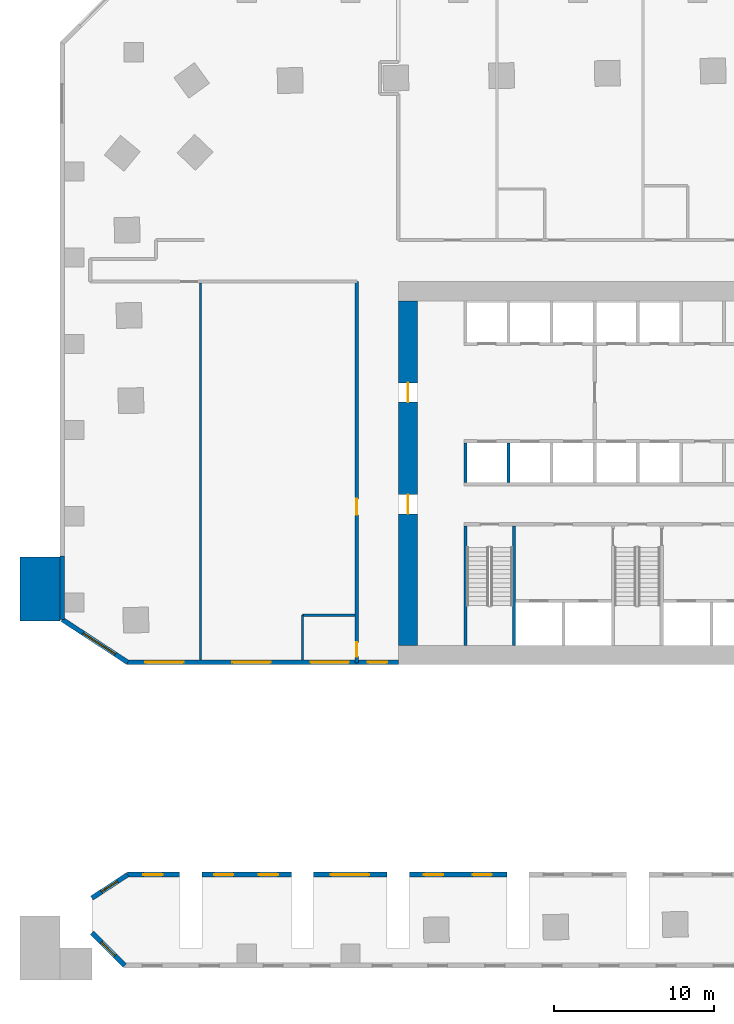
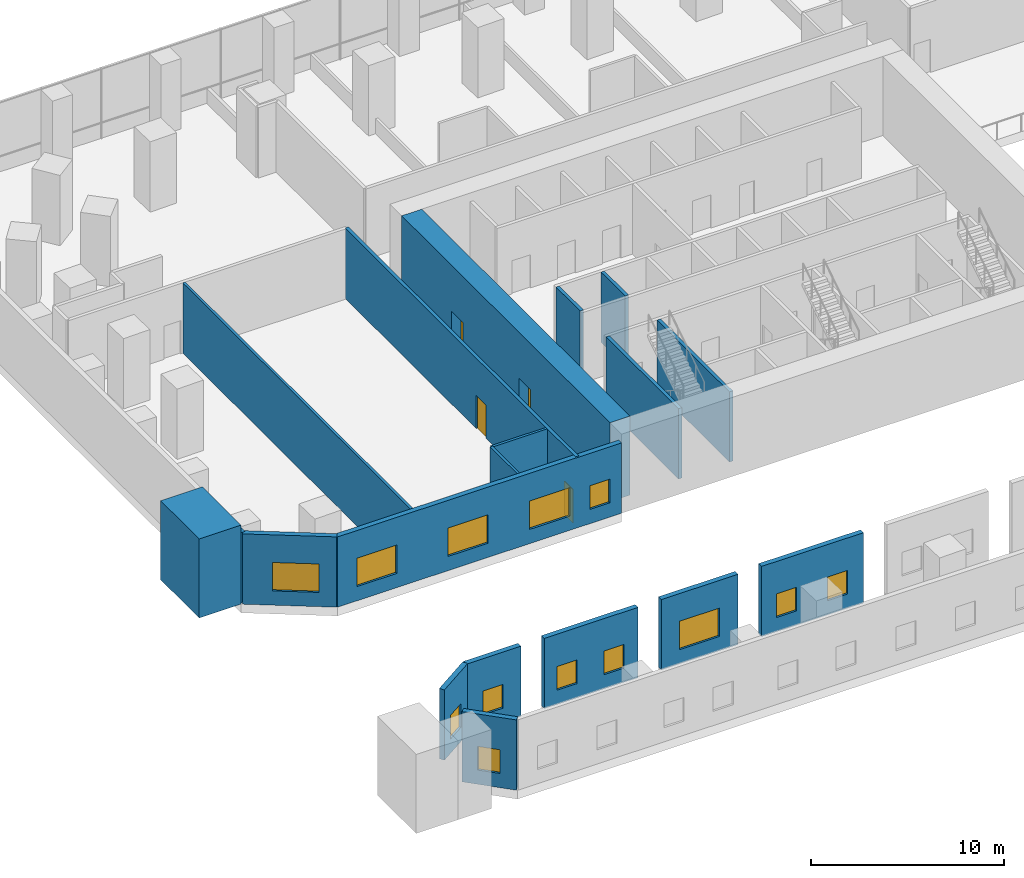
# One storey, part 5 of 11: 19 walls, 13 windows, 4 doors, 17 openings.
"""IFC4 building model written with IfcOpenShell, lengths in metres."""

from ifc_helpers import new_model, si_unit, direction, frame, frame_2d, origin, place, context, subcontext, project, spatial, rectangle, extrude, material, layer, layer_set, type_object, element, fill, save


model = new_model("IFC4")

# Units and contexts
model_context = context("Model", 3, precision=1e-05, world=origin(), true_north=direction((0.0, 1.0)))
body_context = subcontext(model_context, "Body", "Model", "MODEL_VIEW")
ifc_project = project(units=[si_unit("LENGTHUNIT", "METRE"), si_unit("AREAUNIT", "SQUARE_METRE"), si_unit("VOLUMEUNIT", "CUBIC_METRE"), si_unit("PLANEANGLEUNIT", "RADIAN"), si_unit("MASSUNIT", "GRAM", prefix="KILO")], contexts=[model_context])

# Site, building, storey
site_placement = place(None, origin())
site = spatial("IfcSite", under=ifc_project, at=site_placement, CompositionType="ELEMENT")
building_placement = place(site_placement, origin())
building = spatial("IfcBuilding", under=site, at=building_placement, Name="Mangrove Gate Tower", CompositionType="ELEMENT")
storey_placement = place(building_placement, frame((0.0, 0.0, 6.0)))
storey = spatial("IfcBuildingStorey", under=building, at=storey_placement, Name="L01", CompositionType="ELEMENT", Elevation=6.0)

# Walls
ifc_material_1 = material(Name="Concrete C70/85", Category="concrete")
ifc_layer_1 = layer(ifc_material_1, 0.199951171875)
ifc_layer_set_1 = layer_set([ifc_layer_1], Name="Core shaft wall 200 C70/85")
wall_type_1 = type_object("IfcWallType", Name="Core shaft wall 200 C70/85", PredefinedType="SHEAR", material=ifc_layer_set_1)
for number, where, z_axis, x_axis, name in (
    (1, (-10.800048828125, -0.60009765625, 0.0), (0.0, 0.0, 1.0), (0.0, 1.0, 0.0), "WALL-L01-CORE-19"),
    (2, (-8.10009765625, -0.60009765625, 0.0), (0.0, 0.0, 1.0), (0.0, 1.0, 0.0), "WALL-L01-CORE-20"),
):
    element("IfcWall", number, at=place(storey_placement, frame(where, z_axis=z_axis, x_axis=x_axis)), inside=storey, type_object=wall_type_1, Name=name, PredefinedType="SHEAR", context=body_context, shape_type="SweptSolid", body=[
        extrude(rectangle(XDim=2.5, YDim=0.199951171875, at=frame_2d((1.25, 0.0))), origin(), (0.0, 0.0, 1.0), 4.449951171875),
    ])
ifc_material_2 = material(Name="Concrete C70/85", Category="concrete")
ifc_layer_2 = layer(ifc_material_2, 0.199951171875)
ifc_layer_set_2 = layer_set([ifc_layer_2], Name="Core stair wall 200 C70/85")
wall_type_2 = type_object("IfcWallType", Name="Core stair wall 200 C70/85", PredefinedType="SHEAR", material=ifc_layer_set_2)
for number, where, z_axis, x_axis, name in (
    (3, (-10.800048828125, -10.800048828125, 0.0), (0.0, 0.0, 1.0), (0.0, 1.0, 0.0), "WALL-L01-CORE-9"),
    (4, (-7.75, -10.800048828125, 0.0), (0.0, 0.0, 1.0), (0.0, 1.0, 0.0), "WALL-L01-CORE-10"),
):
    element("IfcWall", number, at=place(storey_placement, frame(where, z_axis=z_axis, x_axis=x_axis)), inside=storey, type_object=wall_type_2, Name=name, PredefinedType="SHEAR", context=body_context, shape_type="SweptSolid", body=[
        extrude(rectangle(XDim=7.5, YDim=0.199951171875, at=frame_2d((3.75, 0.0))), origin(), (0.0, 0.0, 1.0), 4.449951171875),
    ])

# Wall, openings, doors
ifc_material_3 = material(Name="Concrete C70/85", Category="concrete")
ifc_layer_3 = layer(ifc_material_3, 1.199951171875)
ifc_layer_set_3 = layer_set([ifc_layer_3], Name="Core wall 1200 C70/85")
wall_type_3 = type_object("IfcWallType", Name="Core wall 1200 C70/85", PredefinedType="SHEAR", material=ifc_layer_set_3)
wall_1_placement = place(storey_placement, frame((-14.39990234375, -10.800048828125, 0.0), z_axis=(0.0, 0.0, 1.0), x_axis=(0.0, 1.0, 0.0)))
wall_1 = element("IfcWall", 5, at=wall_1_placement, inside=storey, type_object=wall_type_3, Name="WALL-L01-CORE-3", PredefinedType="SHEAR", context=body_context, shape_type="SweptSolid", body=[
    extrude(rectangle(XDim=21.60009765625, YDim=1.199951171875, at=frame_2d((10.800048828125, 0.0))), origin(), (0.0, 0.0, 1.0), 5.0),
])
opening_1_placement = place(wall_1_placement, frame((8.25, 0.0, 0.0)))
opening_1 = element("IfcOpeningElement", 6, at=opening_1_placement, cuts=wall_1, Name="Opening CD", PredefinedType="OPENING", context=body_context, shape_type="SweptSolid", body=[
    extrude(rectangle(XDim=1.199951171875, YDim=2.10009765625, at=frame_2d((0.60009765625, 1.050048828125))), frame((0.0, 0.60986328125, 0.0), z_axis=(0.0, -1.0, 0.0), x_axis=(1.0, 0.0, 0.0)), (0.0, 0.0, 1.0), 1.219970703125),
])
opening_2_placement = place(wall_1_placement, frame((15.25, 0.0, 0.0)))
opening_2 = element("IfcOpeningElement", 7, at=opening_2_placement, cuts=wall_1, Name="Opening CD", PredefinedType="OPENING", context=body_context, shape_type="SweptSolid", body=[
    extrude(rectangle(XDim=1.199951171875, YDim=2.10009765625, at=frame_2d((0.60009765625, 1.050048828125))), frame((0.0, 0.60986328125, 0.0), z_axis=(0.0, -1.0, 0.0), x_axis=(1.0, 0.0, 0.0)), (0.0, 0.0, 1.0), 1.219970703125),
])
ifc_material_4 = material(Name="Fire-rated steel door set", Category="steel")
door_type_1 = type_object("IfcDoorType", Name="Core ring door FD60 1200x2100", OperationType="DOUBLE_DOOR_SINGLE_SWING", PredefinedType="DOOR", material=ifc_material_4)
door_1_placement = place(opening_1_placement, origin())
door_1 = element("IfcDoor", 8, at=door_1_placement, inside=storey, type_object=door_type_1, Name="Core ring door W1", OperationType="DOUBLE_DOOR_SINGLE_SWING", OverallHeight=2.10009765625, OverallWidth=1.199951171875, PredefinedType="DOOR", context=body_context, shape_type="SweptSolid", body=[
    extrude(rectangle(XDim=1.199951171875, YDim=2.10009765625, at=frame_2d((0.60009765625, 1.050048828125))), frame((0.0, 0.02490234375, 0.0), z_axis=(0.0, -1.0, 0.0), x_axis=(1.0, 0.0, 0.0)), (0.0, 0.0, 1.0), 0.050048828125),
])
fill(opening_1, door_1)
door_2_placement = place(opening_2_placement, origin())
door_2 = element("IfcDoor", 9, at=door_2_placement, inside=storey, type_object=door_type_1, Name="Core ring door W2", OperationType="DOUBLE_DOOR_SINGLE_SWING", OverallHeight=2.10009765625, OverallWidth=1.199951171875, PredefinedType="DOOR", context=body_context, shape_type="SweptSolid", body=[
    extrude(rectangle(XDim=1.199951171875, YDim=2.10009765625, at=frame_2d((0.60009765625, 1.050048828125))), frame((0.0, 0.02490234375, 0.0), z_axis=(0.0, -1.0, 0.0), x_axis=(1.0, 0.0, 0.0)), (0.0, 0.0, 1.0), 0.050048828125),
])
fill(opening_2, door_2)

ifc_material_5 = material(Name="Gypsum board on steel stud, EI 60", Category="steel")
ifc_layer_4 = layer(ifc_material_5, 0.199951171875)
ifc_layer_set_4 = layer_set([ifc_layer_4], Name="Corridor wall EI 60")
wall_type_4 = type_object("IfcWallType", Name="Corridor wall EI 60", PredefinedType="PARTITIONING", material=ifc_layer_set_4)
wall_2_placement = place(storey_placement, frame((-17.60009765625, -11.89990234375, 0.0), z_axis=(0.0, 0.0, 1.0), x_axis=(0.0, 1.0, 0.0)))
wall_2 = element("IfcWall", 10, at=wall_2_placement, inside=storey, type_object=wall_type_4, Name="WALL-L01-003", PredefinedType="PARTITIONING", context=body_context, shape_type="SweptSolid", body=[
    extrude(rectangle(XDim=23.89990234375, YDim=0.199951171875, at=frame_2d((11.949951171875, 0.0))), origin(), (0.0, 0.0, 1.0), 4.449951171875),
])
opening_3_placement = place(wall_2_placement, frame((9.2939453125, 0.0, 0.0)))
opening_3 = element("IfcOpeningElement", 11, at=opening_3_placement, cuts=wall_2, Name="Opening AD", PredefinedType="OPENING", context=body_context, shape_type="SweptSolid", body=[
    extrude(rectangle(XDim=1.0, YDim=2.10009765625, at=frame_2d((0.5, 1.050048828125))), frame((0.0, 0.10986328125, 0.0), z_axis=(0.0, -1.0, 0.0), x_axis=(1.0, 0.0, 0.0)), (0.0, 0.0, 1.0), 0.219970703125),
])
opening_4_placement = place(wall_2_placement, frame((0.39990234375, 0.0, 0.0)))
opening_4 = element("IfcOpeningElement", 12, at=opening_4_placement, cuts=wall_2, Name="Opening SD", PredefinedType="OPENING", context=body_context, shape_type="SweptSolid", body=[
    extrude(rectangle(XDim=0.89990234375, YDim=2.10009765625, at=frame_2d((0.449951171875, 1.050048828125))), frame((0.0, 0.10986328125, 0.0), z_axis=(0.0, -1.0, 0.0), x_axis=(1.0, 0.0, 0.0)), (0.0, 0.0, 1.0), 0.219970703125),
])
ifc_material_6 = material(Name="Timber door leaf", Category="wood")
door_type_2 = type_object("IfcDoorType", Name="Amenity door 1000", OperationType="SINGLE_SWING_LEFT", PredefinedType="DOOR", material=ifc_material_6)
door_3_placement = place(opening_3_placement, origin())
door_3 = element("IfcDoor", 13, at=door_3_placement, inside=storey, type_object=door_type_2, Name="DOOR-L01-POD-01", OperationType="SINGLE_SWING_LEFT", OverallHeight=2.10009765625, OverallWidth=1.0, PredefinedType="DOOR", context=body_context, shape_type="SweptSolid", body=[
    extrude(rectangle(XDim=1.0, YDim=2.10009765625, at=frame_2d((0.5, 1.050048828125))), frame((0.0, 0.02490234375, 0.0), z_axis=(0.0, -1.0, 0.0), x_axis=(1.0, 0.0, 0.0)), (0.0, 0.0, 1.0), 0.050048828125),
])
fill(opening_3, door_3)
ifc_material_7 = material(Name="Timber door leaf", Category="wood")
door_type_3 = type_object("IfcDoorType", Name="Service room door 900", OperationType="SINGLE_SWING_LEFT", PredefinedType="DOOR", material=ifc_material_7)
door_4_placement = place(opening_4_placement, origin())
door_4 = element("IfcDoor", 14, at=door_4_placement, inside=storey, type_object=door_type_3, Name="DOOR-L01-PSV-01", OperationType="SINGLE_SWING_LEFT", OverallHeight=2.10009765625, OverallWidth=0.89990234375, PredefinedType="DOOR", context=body_context, shape_type="SweptSolid", body=[
    extrude(rectangle(XDim=0.89990234375, YDim=2.10009765625, at=frame_2d((0.449951171875, 1.050048828125))), frame((0.0, 0.02490234375, 0.0), z_axis=(0.0, -1.0, 0.0), x_axis=(1.0, 0.0, 0.0)), (0.0, 0.0, 1.0), 0.050048828125),
])
fill(opening_4, door_4)

# Wall, openings, windows
ifc_material_8 = material(Name="Limestone", Category="masonry")
ifc_layer_5 = layer(ifc_material_8, 0.0400390625, Name="Limestone cladding")
ifc_material_9 = material(Name="Ventilated air gap")
ifc_layer_6 = layer(ifc_material_9, 0.0400390625, Name="Ventilated cavity")
ifc_material_10 = material(Name="Mineral wool insulation")
ifc_layer_7 = layer(ifc_material_10, 0.06005859375, Name="Insulation")
ifc_material_11 = material(Name="Breather membrane")
ifc_layer_8 = layer(ifc_material_11, 0.001953125, Name="Breather membrane")
ifc_material_12 = material(Name="Concrete C20/25 blockwork", Category="masonry")
ifc_layer_9 = layer(ifc_material_12, 0.14990234375, Name="Blockwork backing wall")
ifc_material_13 = material(Name="Gypsum plaster")
ifc_layer_10 = layer(ifc_material_13, 0.008056640625, Name="Internal plaster")
ifc_layer_set_5 = layer_set([ifc_layer_5, ifc_layer_6, ifc_layer_7, ifc_layer_8, ifc_layer_9, ifc_layer_10], Name="External wall 300 limestone cladding")
wall_type_5 = type_object("IfcWallType", Name="External wall 300 limestone cladding", PredefinedType="SOLIDWALL", material=ifc_layer_set_5)
wall_3_placement = place(storey_placement, frame((-8.199951171875, -25.14990234375, 0.0), z_axis=(0.0, 0.0, 1.0), x_axis=(-1.0, 0.0, 0.0)))
wall_3 = element("IfcWall", 15, at=wall_3_placement, inside=storey, type_object=wall_type_5, Name="WALL-L01-N4016", PredefinedType="SOLIDWALL", context=body_context, shape_type="SweptSolid", body=[
    extrude(rectangle(XDim=6.10009765625, YDim=0.300048828125, at=frame_2d((3.050048828125, 0.0))), origin(), (0.0, 0.0, 1.0), 4.449951171875),
])
opening_5_placement = place(wall_3_placement, frame((0.93896484375, 0.0, 0.89990234375)))
opening_5 = element("IfcOpeningElement", 16, at=opening_5_placement, cuts=wall_3, Name="Opening W1", PredefinedType="OPENING", context=body_context, shape_type="SweptSolid", body=[
    extrude(rectangle(XDim=1.199951171875, YDim=1.5, at=frame_2d((0.60009765625, 0.75))), frame((0.0, 0.159912109375, 0.0), z_axis=(0.0, -1.0, 0.0), x_axis=(1.0, 0.0, 0.0)), (0.0, 0.0, 1.0), 0.320068359375),
])
opening_6_placement = place(wall_3_placement, frame((3.992919921875, 0.0, 0.89990234375)))
opening_6 = element("IfcOpeningElement", 17, at=opening_6_placement, cuts=wall_3, Name="Opening W1", PredefinedType="OPENING", context=body_context, shape_type="SweptSolid", body=[
    extrude(rectangle(XDim=1.199951171875, YDim=1.5, at=frame_2d((0.60009765625, 0.75))), frame((0.0, 0.159912109375, 0.0), z_axis=(0.0, -1.0, 0.0), x_axis=(1.0, 0.0, 0.0)), (0.0, 0.0, 1.0), 0.320068359375),
])
ifc_material_14 = material(Name="Aluminium frame with double-glazed low-e glass", Category="aluminium")
window_type_1 = type_object("IfcWindowType", Name="Side lite 1200x1500", PartitioningType="SINGLE_PANEL", PredefinedType="WINDOW", material=ifc_material_14)
window_1_placement = place(opening_5_placement, origin())
window_1 = element("IfcWindow", 18, at=window_1_placement, inside=storey, type_object=window_type_1, Name="WIN-L01-N4016-1", OverallHeight=1.5, OverallWidth=1.199951171875, PartitioningType="SINGLE_PANEL", PredefinedType="WINDOW", context=body_context, shape_type="SweptSolid", body=[
    extrude(rectangle(XDim=1.199951171875, YDim=1.5, at=frame_2d((0.60009765625, 0.75))), frame((0.0, 0.030029296875, 0.0), z_axis=(0.0, -1.0, 0.0), x_axis=(1.0, 0.0, 0.0)), (0.0, 0.0, 1.0), 0.06005859375),
])
fill(opening_5, window_1)
window_2_placement = place(opening_6_placement, origin())
window_2 = element("IfcWindow", 19, at=window_2_placement, inside=storey, type_object=window_type_1, Name="WIN-L01-N4016-2", OverallHeight=1.5, OverallWidth=1.199951171875, PartitioningType="SINGLE_PANEL", PredefinedType="WINDOW", context=body_context, shape_type="SweptSolid", body=[
    extrude(rectangle(XDim=1.199951171875, YDim=1.5, at=frame_2d((0.60009765625, 0.75))), frame((0.0, 0.030029296875, 0.0), z_axis=(0.0, -1.0, 0.0), x_axis=(1.0, 0.0, 0.0)), (0.0, 0.0, 1.0), 0.06005859375),
])
fill(opening_6, window_2)

# Wall, opening, window
wall_4_placement = place(storey_placement, frame((-15.699951171875, -25.14990234375, 0.0), z_axis=(0.0, 0.0, 1.0), x_axis=(-1.0, 0.0, 0.0)))
wall_4 = element("IfcWall", 20, at=wall_4_placement, inside=storey, type_object=wall_type_5, Name="WALL-L01-N4017", PredefinedType="SOLIDWALL", context=body_context, shape_type="SweptSolid", body=[
    extrude(rectangle(XDim=4.60009765625, YDim=0.300048828125, at=frame_2d((2.300048828125, 0.0))), origin(), (0.0, 0.0, 1.0), 4.449951171875),
])
opening_7_placement = place(wall_4_placement, frame((1.125, 0.0, 0.89990234375)))
opening_7 = element("IfcOpeningElement", 21, at=opening_7_placement, cuts=wall_4, Name="Opening W3", PredefinedType="OPENING", context=body_context, shape_type="SweptSolid", body=[
    extrude(rectangle(XDim=2.39990234375, YDim=1.800048828125, at=frame_2d((1.199951171875, 0.89990234375))), frame((0.0, 0.159912109375, 0.0), z_axis=(0.0, -1.0, 0.0), x_axis=(1.0, 0.0, 0.0)), (0.0, 0.0, 1.0), 0.320068359375),
])
ifc_material_15 = material(Name="Aluminium frame with double-glazed low-e glass", Category="aluminium")
window_type_2 = type_object("IfcWindowType", Name="Podium window 2400x1800", PartitioningType="DOUBLE_PANEL_VERTICAL", PredefinedType="WINDOW", material=ifc_material_15)
window_3_placement = place(opening_7_placement, origin())
window_3 = element("IfcWindow", 22, at=window_3_placement, inside=storey, type_object=window_type_2, Name="WIN-L01-N4017-1", OverallHeight=1.800048828125, OverallWidth=2.39990234375, PartitioningType="DOUBLE_PANEL_VERTICAL", PredefinedType="WINDOW", context=body_context, shape_type="SweptSolid", body=[
    extrude(rectangle(XDim=2.39990234375, YDim=1.800048828125, at=frame_2d((1.199951171875, 0.89990234375))), frame((0.0, 0.030029296875, 0.0), z_axis=(0.0, -1.0, 0.0), x_axis=(1.0, 0.0, 0.0)), (0.0, 0.0, 1.0), 0.06005859375),
])
fill(opening_7, window_3)

# Wall, openings, windows
wall_5_placement = place(storey_placement, frame((-21.699951171875, -25.14990234375, 0.0), z_axis=(0.0, 0.0, 1.0), x_axis=(-1.0, 0.0, 0.0)))
wall_5 = element("IfcWall", 23, at=wall_5_placement, inside=storey, type_object=wall_type_5, Name="WALL-L01-N4018", PredefinedType="SOLIDWALL", context=body_context, shape_type="SweptSolid", body=[
    extrude(rectangle(XDim=5.60009765625, YDim=0.300048828125, at=frame_2d((2.800048828125, 0.0))), origin(), (0.0, 0.0, 1.0), 4.449951171875),
])
opening_8_placement = place(wall_5_placement, frame((0.83203125, 0.0, 0.89990234375)))
opening_8 = element("IfcOpeningElement", 24, at=opening_8_placement, cuts=wall_5, Name="Opening W1", PredefinedType="OPENING", context=body_context, shape_type="SweptSolid", body=[
    extrude(rectangle(XDim=1.199951171875, YDim=1.5, at=frame_2d((0.60009765625, 0.75))), frame((0.0, 0.159912109375, 0.0), z_axis=(0.0, -1.0, 0.0), x_axis=(1.0, 0.0, 0.0)), (0.0, 0.0, 1.0), 0.320068359375),
])
opening_9_placement = place(wall_5_placement, frame((3.635986328125, 0.0, 0.89990234375)))
opening_9 = element("IfcOpeningElement", 25, at=opening_9_placement, cuts=wall_5, Name="Opening W1", PredefinedType="OPENING", context=body_context, shape_type="SweptSolid", body=[
    extrude(rectangle(XDim=1.199951171875, YDim=1.5, at=frame_2d((0.60009765625, 0.75))), frame((0.0, 0.159912109375, 0.0), z_axis=(0.0, -1.0, 0.0), x_axis=(1.0, 0.0, 0.0)), (0.0, 0.0, 1.0), 0.320068359375),
])
window_4_placement = place(opening_8_placement, origin())
window_4 = element("IfcWindow", 26, at=window_4_placement, inside=storey, type_object=window_type_1, Name="WIN-L01-N4018-1", OverallHeight=1.5, OverallWidth=1.199951171875, PartitioningType="SINGLE_PANEL", PredefinedType="WINDOW", context=body_context, shape_type="SweptSolid", body=[
    extrude(rectangle(XDim=1.199951171875, YDim=1.5, at=frame_2d((0.60009765625, 0.75))), frame((0.0, 0.030029296875, 0.0), z_axis=(0.0, -1.0, 0.0), x_axis=(1.0, 0.0, 0.0)), (0.0, 0.0, 1.0), 0.06005859375),
])
fill(opening_8, window_4)
window_5_placement = place(opening_9_placement, origin())
window_5 = element("IfcWindow", 27, at=window_5_placement, inside=storey, type_object=window_type_1, Name="WIN-L01-N4018-2", OverallHeight=1.5, OverallWidth=1.199951171875, PartitioningType="SINGLE_PANEL", PredefinedType="WINDOW", context=body_context, shape_type="SweptSolid", body=[
    extrude(rectangle(XDim=1.199951171875, YDim=1.5, at=frame_2d((0.60009765625, 0.75))), frame((0.0, 0.030029296875, 0.0), z_axis=(0.0, -1.0, 0.0), x_axis=(1.0, 0.0, 0.0)), (0.0, 0.0, 1.0), 0.06005859375),
])
fill(opening_9, window_5)

# Wall, opening, window
wall_6_placement = place(storey_placement, frame((-28.699951171875, -25.14990234375, 0.0), z_axis=(0.0, 0.0, 1.0), x_axis=(-1.0, 0.0, 0.0)))
wall_6 = element("IfcWall", 28, at=wall_6_placement, inside=storey, type_object=wall_type_5, Name="WALL-L01-N4019", PredefinedType="SOLIDWALL", context=body_context, shape_type="SweptSolid", body=[
    extrude(rectangle(XDim=3.255126953125, YDim=0.300048828125, at=frame_2d((1.62744140625, 0.0))), origin(), (0.0, 0.0, 1.0), 4.449951171875),
])
opening_10_placement = place(wall_6_placement, frame((1.070068359375, 0.0, 0.89990234375)))
opening_10 = element("IfcOpeningElement", 29, at=opening_10_placement, cuts=wall_6, Name="Opening W1", PredefinedType="OPENING", context=body_context, shape_type="SweptSolid", body=[
    extrude(rectangle(XDim=1.199951171875, YDim=1.5, at=frame_2d((0.60009765625, 0.75))), frame((0.0, 0.159912109375, 0.0), z_axis=(0.0, -1.0, 0.0), x_axis=(1.0, 0.0, 0.0)), (0.0, 0.0, 1.0), 0.320068359375),
])
window_6_placement = place(opening_10_placement, origin())
window_6 = element("IfcWindow", 30, at=window_6_placement, inside=storey, type_object=window_type_1, Name="WIN-L01-N4019-1", OverallHeight=1.5, OverallWidth=1.199951171875, PartitioningType="SINGLE_PANEL", PredefinedType="WINDOW", context=body_context, shape_type="SweptSolid", body=[
    extrude(rectangle(XDim=1.199951171875, YDim=1.5, at=frame_2d((0.60009765625, 0.75))), frame((0.0, 0.030029296875, 0.0), z_axis=(0.0, -1.0, 0.0), x_axis=(1.0, 0.0, 0.0)), (0.0, 0.0, 1.0), 0.06005859375),
])
fill(opening_10, window_6)

wall_7_placement = place(storey_placement, frame((-31.955078125, -25.14990234375, 0.0), z_axis=(0.0, 0.0, 1.0), x_axis=(-0.83655747026, -0.547879182806, 0.0)))
wall_7 = element("IfcWall", 31, at=wall_7_placement, inside=storey, type_object=wall_type_5, Name="WALL-L01-N2", PredefinedType="SOLIDWALL", context=body_context, shape_type="SweptSolid", body=[
    extrude(rectangle(XDim=2.683349609375, YDim=0.300048828125, at=frame_2d((1.341796875, 0.0))), origin(), (0.0, 0.0, 1.0), 4.449951171875),
])
opening_11_placement = place(wall_7_placement, frame((0.76904296875, 0.0, 0.89990234375)))
opening_11 = element("IfcOpeningElement", 32, at=opening_11_placement, cuts=wall_7, Name="Opening W1", PredefinedType="OPENING", context=body_context, shape_type="SweptSolid", body=[
    extrude(rectangle(XDim=1.199951171875, YDim=1.5, at=frame_2d((0.60009765625, 0.75))), frame((0.0, 0.159912109375, 0.0), z_axis=(0.0, -1.0, 0.0), x_axis=(1.0, 0.0, 0.0)), (0.0, 0.0, 1.0), 0.320068359375),
])
window_7_placement = place(opening_11_placement, origin())
window_7 = element("IfcWindow", 33, at=window_7_placement, inside=storey, type_object=window_type_1, Name="WIN-L01-N2-1", OverallHeight=1.5, OverallWidth=1.199951171875, PartitioningType="SINGLE_PANEL", PredefinedType="WINDOW", context=body_context, shape_type="SweptSolid", body=[
    extrude(rectangle(XDim=1.199951171875, YDim=1.5, at=frame_2d((0.60009765625, 0.75))), frame((0.0, 0.030029296875, 0.0), z_axis=(0.0, -1.0, 0.0), x_axis=(1.0, 0.0, 0.0)), (0.0, 0.0, 1.0), 0.06005859375),
])
fill(opening_11, window_7)

wall_8_placement = place(storey_placement, frame((-34.199951171875, -28.7880859375, 0.0), z_axis=(0.0, 0.0, 1.0), x_axis=(0.707106781187, -0.707106781187, 0.0)))
wall_8 = element("IfcWall", 34, at=wall_8_placement, inside=storey, type_object=wall_type_5, Name="WALL-L01-W3", PredefinedType="SOLIDWALL", context=body_context, shape_type="SweptSolid", body=[
    extrude(rectangle(XDim=2.916015625, YDim=0.300048828125, at=frame_2d((1.4580078125, 0.0))), origin(), (0.0, 0.0, 1.0), 4.449951171875),
])
opening_12_placement = place(wall_8_placement, frame((0.844970703125, 0.0, 0.89990234375)))
opening_12 = element("IfcOpeningElement", 35, at=opening_12_placement, cuts=wall_8, Name="Opening W1", PredefinedType="OPENING", context=body_context, shape_type="SweptSolid", body=[
    extrude(rectangle(XDim=1.199951171875, YDim=1.5, at=frame_2d((0.60009765625, 0.75))), frame((0.0, 0.159912109375, 0.0), z_axis=(0.0, -1.0, 0.0), x_axis=(1.0, 0.0, 0.0)), (0.0, 0.0, 1.0), 0.320068359375),
])
window_8_placement = place(opening_12_placement, origin())
window_8 = element("IfcWindow", 36, at=window_8_placement, inside=storey, type_object=window_type_1, Name="WIN-L01-W3-1", OverallHeight=1.5, OverallWidth=1.199951171875, PartitioningType="SINGLE_PANEL", PredefinedType="WINDOW", context=body_context, shape_type="SweptSolid", body=[
    extrude(rectangle(XDim=1.199951171875, YDim=1.5, at=frame_2d((0.60009765625, 0.75))), frame((0.0, 0.030029296875, 0.0), z_axis=(0.0, -1.0, 0.0), x_axis=(1.0, 0.0, 0.0)), (0.0, 0.0, 1.0), 0.06005859375),
])
fill(opening_12, window_8)

wall_9_placement = place(storey_placement, frame((-36.050048828125, -9.1689453125, 0.0), z_axis=(0.0, 0.0, 1.0), x_axis=(0.836625876117, -0.54777471958, 0.0)))
wall_9 = element("IfcWall", 37, at=wall_9_placement, inside=storey, type_object=wall_type_5, Name="WALL-L01-S6", PredefinedType="SOLIDWALL", context=body_context, shape_type="SweptSolid", body=[
    extrude(rectangle(XDim=4.89453125, YDim=0.300048828125, at=frame_2d((2.447265625, 0.0))), origin(), (0.0, 0.0, 1.0), 4.449951171875),
])
opening_13_placement = place(wall_9_placement, frame((1.56103515625, 0.0, 0.89990234375)))
opening_13 = element("IfcOpeningElement", 38, at=opening_13_placement, cuts=wall_9, Name="Opening W3", PredefinedType="OPENING", context=body_context, shape_type="SweptSolid", body=[
    extrude(rectangle(XDim=2.39990234375, YDim=1.800048828125, at=frame_2d((1.199951171875, 0.89990234375))), frame((0.0, 0.159912109375, 0.0), z_axis=(0.0, -1.0, 0.0), x_axis=(1.0, 0.0, 0.0)), (0.0, 0.0, 1.0), 0.320068359375),
])
window_9_placement = place(opening_13_placement, origin())
window_9 = element("IfcWindow", 39, at=window_9_placement, inside=storey, type_object=window_type_2, Name="WIN-L01-S6-1", OverallHeight=1.800048828125, OverallWidth=2.39990234375, PartitioningType="DOUBLE_PANEL_VERTICAL", PredefinedType="WINDOW", context=body_context, shape_type="SweptSolid", body=[
    extrude(rectangle(XDim=2.39990234375, YDim=1.800048828125, at=frame_2d((1.199951171875, 0.89990234375))), frame((0.0, 0.030029296875, 0.0), z_axis=(0.0, -1.0, 0.0), x_axis=(1.0, 0.0, 0.0)), (0.0, 0.0, 1.0), 0.06005859375),
])
fill(opening_13, window_9)

# Wall, openings, windows
wall_10_placement = place(storey_placement, frame((-32.0, -11.85009765625, 0.0), z_axis=(0.0, 0.0, 1.0), x_axis=(1.0, 0.0, 0.0)))
wall_10 = element("IfcWall", 40, at=wall_10_placement, inside=storey, type_object=wall_type_5, Name="WALL-L01-S7", PredefinedType="SOLIDWALL", context=body_context, shape_type="SweptSolid", body=[
    extrude(rectangle(XDim=17.0, YDim=0.300048828125, at=frame_2d((8.5, 0.0))), origin(), (0.0, 0.0, 1.0), 4.449951171875),
])
opening_14_placement = place(wall_10_placement, frame((1.14892578125, 0.0, 0.89990234375)))
opening_14 = element("IfcOpeningElement", 41, at=opening_14_placement, cuts=wall_10, Name="Opening W3", PredefinedType="OPENING", context=body_context, shape_type="SweptSolid", body=[
    extrude(rectangle(XDim=2.39990234375, YDim=1.800048828125, at=frame_2d((1.199951171875, 0.89990234375))), frame((0.0, 0.159912109375, 0.0), z_axis=(0.0, -1.0, 0.0), x_axis=(1.0, 0.0, 0.0)), (0.0, 0.0, 1.0), 0.320068359375),
])
opening_15_placement = place(wall_10_placement, frame((6.60498046875, 0.0, 0.89990234375)))
opening_15 = element("IfcOpeningElement", 42, at=opening_15_placement, cuts=wall_10, Name="Opening W3", PredefinedType="OPENING", context=body_context, shape_type="SweptSolid", body=[
    extrude(rectangle(XDim=2.39990234375, YDim=1.800048828125, at=frame_2d((1.199951171875, 0.89990234375))), frame((0.0, 0.159912109375, 0.0), z_axis=(0.0, -1.0, 0.0), x_axis=(1.0, 0.0, 0.0)), (0.0, 0.0, 1.0), 0.320068359375),
])
opening_16_placement = place(wall_10_placement, frame((11.5, 0.0, 0.89990234375)))
opening_16 = element("IfcOpeningElement", 43, at=opening_16_placement, cuts=wall_10, Name="Opening W3", PredefinedType="OPENING", context=body_context, shape_type="SweptSolid", body=[
    extrude(rectangle(XDim=2.39990234375, YDim=1.800048828125, at=frame_2d((1.199951171875, 0.89990234375))), frame((0.0, 0.159912109375, 0.0), z_axis=(0.0, -1.0, 0.0), x_axis=(1.0, 0.0, 0.0)), (0.0, 0.0, 1.0), 0.320068359375),
])
opening_17_placement = place(wall_10_placement, frame((15.10009765625, 0.0, 0.89990234375)))
opening_17 = element("IfcOpeningElement", 44, at=opening_17_placement, cuts=wall_10, Name="Opening W1", PredefinedType="OPENING", context=body_context, shape_type="SweptSolid", body=[
    extrude(rectangle(XDim=1.199951171875, YDim=1.5, at=frame_2d((0.60009765625, 0.75))), frame((0.0, 0.159912109375, 0.0), z_axis=(0.0, -1.0, 0.0), x_axis=(1.0, 0.0, 0.0)), (0.0, 0.0, 1.0), 0.320068359375),
])
window_10_placement = place(opening_14_placement, origin())
window_10 = element("IfcWindow", 45, at=window_10_placement, inside=storey, type_object=window_type_2, Name="WIN-L01-S7-1", OverallHeight=1.800048828125, OverallWidth=2.39990234375, PartitioningType="DOUBLE_PANEL_VERTICAL", PredefinedType="WINDOW", context=body_context, shape_type="SweptSolid", body=[
    extrude(rectangle(XDim=2.39990234375, YDim=1.800048828125, at=frame_2d((1.199951171875, 0.89990234375))), frame((0.0, 0.030029296875, 0.0), z_axis=(0.0, -1.0, 0.0), x_axis=(1.0, 0.0, 0.0)), (0.0, 0.0, 1.0), 0.06005859375),
])
fill(opening_14, window_10)
window_11_placement = place(opening_15_placement, origin())
window_11 = element("IfcWindow", 46, at=window_11_placement, inside=storey, type_object=window_type_2, Name="WIN-L01-S7-2", OverallHeight=1.800048828125, OverallWidth=2.39990234375, PartitioningType="DOUBLE_PANEL_VERTICAL", PredefinedType="WINDOW", context=body_context, shape_type="SweptSolid", body=[
    extrude(rectangle(XDim=2.39990234375, YDim=1.800048828125, at=frame_2d((1.199951171875, 0.89990234375))), frame((0.0, 0.030029296875, 0.0), z_axis=(0.0, -1.0, 0.0), x_axis=(1.0, 0.0, 0.0)), (0.0, 0.0, 1.0), 0.06005859375),
])
fill(opening_15, window_11)
window_12_placement = place(opening_16_placement, origin())
window_12 = element("IfcWindow", 47, at=window_12_placement, inside=storey, type_object=window_type_2, Name="WIN-L01-S7-3", OverallHeight=1.800048828125, OverallWidth=2.39990234375, PartitioningType="DOUBLE_PANEL_VERTICAL", PredefinedType="WINDOW", context=body_context, shape_type="SweptSolid", body=[
    extrude(rectangle(XDim=2.39990234375, YDim=1.800048828125, at=frame_2d((1.199951171875, 0.89990234375))), frame((0.0, 0.030029296875, 0.0), z_axis=(0.0, -1.0, 0.0), x_axis=(1.0, 0.0, 0.0)), (0.0, 0.0, 1.0), 0.06005859375),
])
fill(opening_16, window_12)
window_13_placement = place(opening_17_placement, origin())
window_13 = element("IfcWindow", 48, at=window_13_placement, inside=storey, type_object=window_type_1, Name="WIN-L01-S7-4", OverallHeight=1.5, OverallWidth=1.199951171875, PartitioningType="SINGLE_PANEL", PredefinedType="WINDOW", context=body_context, shape_type="SweptSolid", body=[
    extrude(rectangle(XDim=1.199951171875, YDim=1.5, at=frame_2d((0.60009765625, 0.75))), frame((0.0, 0.030029296875, 0.0), z_axis=(0.0, -1.0, 0.0), x_axis=(1.0, 0.0, 0.0)), (0.0, 0.0, 1.0), 0.06005859375),
])
fill(opening_17, window_13)

# Walls
wall_11_placement = place(storey_placement, frame((-36.050048828125, -5.18505859375, 0.0), z_axis=(0.0, 0.0, 1.0), x_axis=(0.0, -1.0, 0.0)))
element("IfcWall", 49, at=wall_11_placement, inside=storey, type_object=wall_type_5, Name="WALL-L01-W3140", PredefinedType="SOLIDWALL", context=body_context, shape_type="SweptSolid", body=[
    extrude(rectangle(XDim=3.98388671875, YDim=0.300048828125, at=frame_2d((1.991943359375, 0.0))), origin(), (0.0, 0.0, 1.0), 4.449951171875),
])
ifc_material_16 = material(Name="Gypsum board on steel stud, EI 60", Category="steel")
ifc_layer_11 = layer(ifc_material_16, 0.14990234375)
ifc_layer_set_6 = layer_set([ifc_layer_11], Name="Party wall 150 EI 60")
wall_type_6 = type_object("IfcWallType", Name="Party wall 150 EI 60", PredefinedType="PARTITIONING", material=ifc_layer_set_6)
wall_12_placement = place(storey_placement, frame((-27.389892578125, -11.699951171875, 0.0), z_axis=(0.0, 0.0, 1.0), x_axis=(0.0, 1.0, 0.0)))
element("IfcWall", 50, at=wall_12_placement, inside=storey, type_object=wall_type_6, Name="WALL-L01-001", PredefinedType="PARTITIONING", context=body_context, shape_type="SweptSolid", body=[
    extrude(rectangle(XDim=23.599853515625, YDim=0.14990234375, at=frame_2d((11.7998046875, 0.0))), origin(), (0.0, 0.0, 1.0), 4.449951171875),
])
wall_13_placement = place(storey_placement, frame((-21.0, -11.699951171875, 0.0), z_axis=(0.0, 0.0, 1.0), x_axis=(0.0, 1.0, 0.0)))
element("IfcWall", 51, at=wall_13_placement, inside=storey, type_object=wall_type_6, Name="WALL-L01-002", PredefinedType="PARTITIONING", context=body_context, shape_type="SweptSolid", body=[
    extrude(rectangle(XDim=2.800048828125, YDim=0.14990234375, at=frame_2d((1.39990234375, 0.0))), origin(), (0.0, 0.0, 1.0), 4.449951171875),
])
wall_14_placement = place(storey_placement, frame((-21.0, -8.89990234375, 0.0), z_axis=(0.0, 0.0, 1.0), x_axis=(1.0, 0.0, 0.0)))
element("IfcWall", 52, at=wall_14_placement, inside=storey, type_object=wall_type_6, Name="WALL-L01-004", PredefinedType="PARTITIONING", context=body_context, shape_type="SweptSolid", body=[
    extrude(rectangle(XDim=3.300048828125, YDim=0.14990234375, at=frame_2d((1.64990234375, 0.0))), origin(), (0.0, 0.0, 1.0), 4.449951171875),
])
ifc_layer_12 = layer(ifc_material_8, 0.06005859375, Name="Limestone cladding")
ifc_material_17 = material(Name="Concrete C40/50", Category="concrete")
ifc_layer_13 = layer(ifc_material_17, 2.340087890625, Name="Gate core wall")
ifc_layer_14 = layer(ifc_material_8, 0.10009765625, Name="Limestone reveal lining")
ifc_layer_set_7 = layer_set([ifc_layer_12, ifc_layer_13, ifc_layer_14], Name="Stone gate wall 2500")
wall_type_7 = type_object("IfcWallType", Name="Stone gate wall 2500", PredefinedType="STANDARD", material=ifc_layer_set_7)
wall_15_placement = place(storey_placement, frame((-37.449951171875, -9.25, 0.0), z_axis=(0.0, 0.0, 1.0), x_axis=(0.0, 1.0, 0.0)))
element("IfcWall", 53, at=wall_15_placement, inside=storey, type_object=wall_type_7, Name="ARCH PIER W 2", PredefinedType="STANDARD", context=body_context, shape_type="SweptSolid", body=[
    extrude(rectangle(XDim=4.0, YDim=2.5, at=frame_2d((2.0, 0.0))), origin(), (0.0, 0.0, 1.0), 5.0),
])

save(model, "model.ifc")
